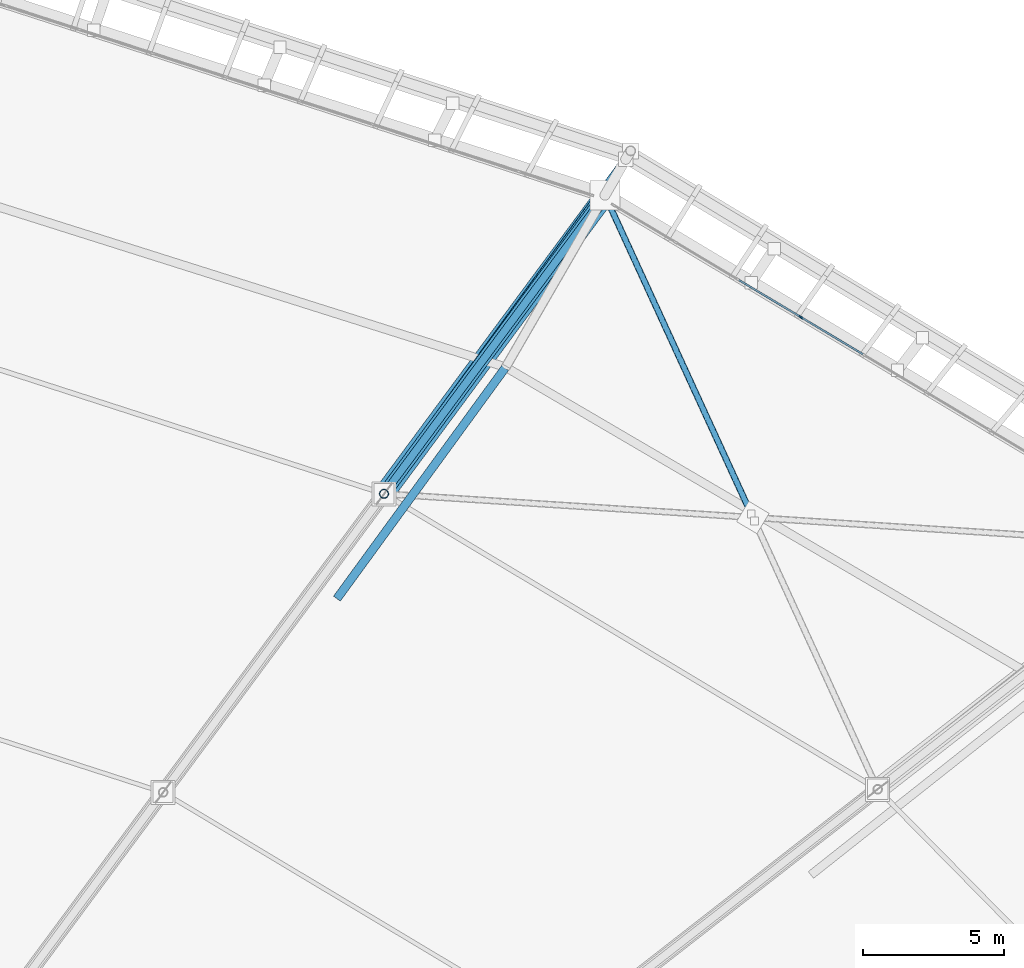
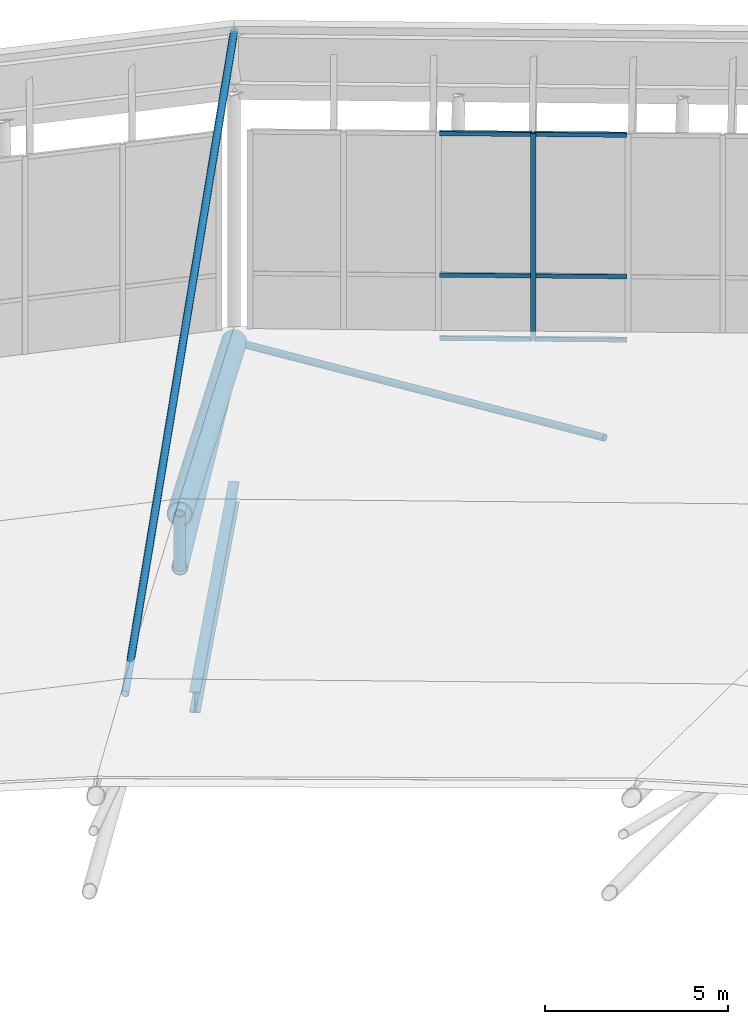
# One storey, part 75 of 115: 13 members, 1 beam, 1 element without a shape of its own.
"""IFC4 building model written with IfcOpenShell, lengths in metres."""

from ifc_helpers import new_model, si_unit, direction, frame, origin, origin_2d, place, context, subcontext, project, spatial, rectangle, hollow_circle, i_section, extrude, material, material_profile, profile_set, type_object, element, aggregate, save


model = new_model("IFC4")

# Units and contexts
model_context = context("Model", 3, precision=1e-05, world=origin(), true_north=direction((0.0, 1.0)))
body_context = subcontext(model_context, "Body", "Model", "MODEL_VIEW")
ifc_project = project(units=[si_unit("LENGTHUNIT", "METRE"), si_unit("AREAUNIT", "SQUARE_METRE"), si_unit("VOLUMEUNIT", "CUBIC_METRE"), si_unit("PLANEANGLEUNIT", "RADIAN"), si_unit("MASSUNIT", "GRAM", prefix="KILO")], contexts=[model_context])

# Site, building, storey
site_placement = place(None, origin())
site = spatial("IfcSite", under=ifc_project, at=site_placement, CompositionType="ELEMENT")
building_placement = place(site_placement, origin())
building = spatial("IfcBuilding", under=site, at=building_placement, Name="Zlatoyarsky Gate Stadium", CompositionType="ELEMENT")
storey_placement = place(building_placement, frame((0.0, 0.0, 31.800048828125)))
storey = spatial("IfcBuildingStorey", under=building, at=storey_placement, Name="RF", CompositionType="ELEMENT", Elevation=31.800048828125)

# Curtain wall, members
ifc_material_1 = material(Name="Thermally broken anodised aluminium curtain wall", Category="aluminium")
curtain_wall_type = type_object("IfcCurtainWallType", Name="UNITISED SKYBOX RING GLAZING L05", PredefinedType="USERDEFINED", material=ifc_material_1)
curtain_wall_placement = place(storey_placement, origin())
curtain_wall = element("IfcCurtainWall", 1, at=curtain_wall_placement, inside=storey, type_object=curtain_wall_type, Name="Curtain wall CW-RF-03", ObjectType="UNITISED GLAZING", PredefinedType="USERDEFINED")
ifc_material_2 = material(Name="Anodised aluminium 6063-T6", Category="aluminium")
ifc_material_profile_1 = material_profile(ifc_material_2, rectangle(XDim=0.06494140625, YDim=0.159912109375, at=origin_2d()), Name="ALU 65X160")
ifc_profile_set_1 = profile_set([ifc_material_profile_1], Name="Anodised aluminium 6063-T6")
member_type_1 = type_object("IfcMemberType", Name="ALUMINIUM MULLION 65X160", PredefinedType="MULLION", material=ifc_profile_set_1)
member_1_placement = place(storey_placement, frame((167.9541015625, 143.25830078125, 0.0), z_axis=(0.0, 0.0, 1.0), x_axis=(-0.513435995817, -0.858127891517, 0.0)))
member_1 = element("IfcMember", 2, at=member_1_placement, type_object=member_type_1, Name="CW-UG5 mullion 7", PredefinedType="MULLION", context=body_context, shape_type="SweptSolid", body=[
    extrude(rectangle(XDim=0.06494140625, YDim=0.159912109375, at=origin_2d()), origin(), (0.0, 0.0, 1.0), 6.89990234375),
])
ifc_material_profile_2 = material_profile(ifc_material_2, rectangle(XDim=0.06494140625, YDim=0.139892578125, at=origin_2d()), Name="ALU 65X140")
ifc_profile_set_2 = profile_set([ifc_material_profile_2], Name="Anodised aluminium 6063-T6")
member_type_2 = type_object("IfcMemberType", Name="ALUMINIUM TRANSOM 65X140", PredefinedType="USERDEFINED", material=ifc_profile_set_2)
member_2_placement = place(storey_placement, frame((170.1484375, 141.9453125, 0.032470703125), z_axis=(-0.858149243312, 0.51340030795, 0.0), x_axis=(-0.51340030795, -0.858149243312, 0.0)))
member_2 = element("IfcMember", 3, at=member_2_placement, type_object=member_type_2, Name="CW-UG5 transom 6.1", ObjectType="TRANSOM", PredefinedType="USERDEFINED", context=body_context, shape_type="SweptSolid", body=[
    extrude(rectangle(XDim=0.06494140625, YDim=0.139892578125, at=origin_2d()), origin(), (0.0, 0.0, 1.0), 2.524658203125),
])
member_3_placement = place(storey_placement, frame((170.1484375, 141.9453125, 2.14990234375), z_axis=(-0.858149243312, 0.51340030795, 0.0), x_axis=(-0.51340030795, -0.858149243312, 0.0)))
member_3 = element("IfcMember", 4, at=member_3_placement, type_object=member_type_2, Name="CW-UG5 transom 6.2", ObjectType="TRANSOM", PredefinedType="USERDEFINED", context=body_context, shape_type="SweptSolid", body=[
    extrude(rectangle(XDim=0.06494140625, YDim=0.139892578125, at=origin_2d()), origin(), (0.0, 0.0, 1.0), 2.524658203125),
])
member_4_placement = place(storey_placement, frame((170.1484375, 141.9453125, 6.867431640625), z_axis=(-0.858149243312, 0.51340030795, 0.0), x_axis=(-0.51340030795, -0.858149243312, 0.0)))
member_4 = element("IfcMember", 5, at=member_4_placement, type_object=member_type_2, Name="CW-UG5 transom 6.3", ObjectType="TRANSOM", PredefinedType="USERDEFINED", context=body_context, shape_type="SweptSolid", body=[
    extrude(rectangle(XDim=0.06494140625, YDim=0.139892578125, at=origin_2d()), origin(), (0.0, 0.0, 1.0), 2.524658203125),
])
member_5_placement = place(storey_placement, frame((167.926025390625, 143.27490234375, 0.032470703125), z_axis=(-0.858106637298, 0.513471517248, 0.0), x_axis=(-0.513471517248, -0.858106637298, 0.0)))
member_5 = element("IfcMember", 6, at=member_5_placement, type_object=member_type_2, Name="CW-UG5 transom 7.1", ObjectType="TRANSOM", PredefinedType="USERDEFINED", context=body_context, shape_type="SweptSolid", body=[
    extrude(rectangle(XDim=0.06494140625, YDim=0.139892578125, at=origin_2d()), origin(), (0.0, 0.0, 1.0), 2.524658203125),
])
member_6_placement = place(storey_placement, frame((167.926025390625, 143.27490234375, 2.14990234375), z_axis=(-0.858106637298, 0.513471517248, 0.0), x_axis=(-0.513471517248, -0.858106637298, 0.0)))
member_6 = element("IfcMember", 7, at=member_6_placement, type_object=member_type_2, Name="CW-UG5 transom 7.2", ObjectType="TRANSOM", PredefinedType="USERDEFINED", context=body_context, shape_type="SweptSolid", body=[
    extrude(rectangle(XDim=0.06494140625, YDim=0.139892578125, at=origin_2d()), origin(), (0.0, 0.0, 1.0), 2.524658203125),
])
member_7_placement = place(storey_placement, frame((167.926025390625, 143.27490234375, 6.867431640625), z_axis=(-0.858106637298, 0.513471517248, 0.0), x_axis=(-0.513471517248, -0.858106637298, 0.0)))
member_7 = element("IfcMember", 8, at=member_7_placement, type_object=member_type_2, Name="CW-UG5 transom 7.3", ObjectType="TRANSOM", PredefinedType="USERDEFINED", context=body_context, shape_type="SweptSolid", body=[
    extrude(rectangle(XDim=0.06494140625, YDim=0.139892578125, at=origin_2d()), origin(), (0.0, 0.0, 1.0), 2.524658203125),
])
aggregate(curtain_wall, [member_1, member_2, member_3, member_4, member_5, member_6, member_7])

# Members
ifc_material_3 = material(Name="Steel S355", Category="steel")
ifc_material_profile_3 = material_profile(ifc_material_3, hollow_circle(Radius=0.228515625, WallThickness=0.02490234375, at=origin_2d()), Name="CHS 457X25")
ifc_profile_set_3 = profile_set([ifc_material_profile_3], Name="Steel S355")
member_type_3 = type_object("IfcMemberType", Name="STEEL ARCH BOTTOM CHORD CHS 457X25", PredefinedType="CHORD", material=ifc_profile_set_3)
member_8_placement = place(storey_placement, frame((161.013916015625, 147.573974609375, -0.449951171875), z_axis=(-0.589420339324, -0.796361331741, 0.135618187937), x_axis=(0.80378738221, -0.594916669963, 0.0)))
element("IfcMember", 9, at=member_8_placement, inside=storey, type_object=member_type_3, Name="Radial truss R05 bottom chord 1", PredefinedType="CHORD", context=body_context, shape_type="SweptSolid", body=[
    extrude(hollow_circle(Radius=0.228515625, WallThickness=0.02490234375, at=origin_2d()), origin(), (0.0, 0.0, 1.0), 13.27099609375),
])
ifc_material_profile_4 = material_profile(ifc_material_3, hollow_circle(Radius=0.35546875, WallThickness=0.031982421875, at=origin_2d()), Name="CHS 711X32")
ifc_profile_set_4 = profile_set([ifc_material_profile_4], Name="Steel S355")
member_type_4 = type_object("IfcMemberType", Name="STEEL ARCH TOP CHORD CHS 711X32", PredefinedType="CHORD", material=ifc_profile_set_4)
member_9_placement = place(storey_placement, frame((161.013916015625, 147.573974609375, -0.25), z_axis=(-0.575972825416, -0.778192498109, 0.250343244904), x_axis=(0.80378738221, -0.594916669963, 0.0)))
element("IfcMember", 10, at=member_9_placement, inside=storey, type_object=member_type_4, Name="Radial truss R05 top chord 1", PredefinedType="CHORD", context=body_context, shape_type="SweptSolid", body=[
    extrude(hollow_circle(Radius=0.35546875, WallThickness=0.031982421875, at=origin_2d()), origin(), (0.0, 0.0, 1.0), 13.5810546875),
])
ifc_material_profile_5 = material_profile(ifc_material_3, hollow_circle(Radius=0.109619140625, WallThickness=0.012451171875, at=origin_2d()), Name="CHS 219.1X12.5")
ifc_profile_set_5 = profile_set([ifc_material_profile_5], Name="Steel S355")
member_type_5 = type_object("IfcMemberType", Name="STEEL CANOPY WIND BRACE CHS 219.1X12.5", PredefinedType="BRACE", material=ifc_profile_set_5)
member_10_placement = place(storey_placement, frame((161.013916015625, 147.573974609375, -0.25), z_axis=(0.412764835644, -0.899161253102, 0.145376171966), x_axis=(0.90881610236, 0.417196946407, 0.0)))
element("IfcMember", 11, at=member_10_placement, inside=storey, type_object=member_type_5, Name="Roof wind X-brace split half-diagonal 03A", PredefinedType="BRACE", context=body_context, shape_type="SweptSolid", body=[
    extrude(hollow_circle(Radius=0.109619140625, WallThickness=0.012451171875, at=origin_2d()), origin(), (0.0, 0.0, 1.0), 12.550048828125),
])
member_11_placement = place(storey_placement, frame((161.922119140625, 149.147216796875, 8.849853515625), z_axis=(-0.586600680652, -0.804819594626, -0.090360730217), x_axis=(0.80812555425, -0.589010261853, 0.0)))
element("IfcMember", 12, at=member_11_placement, inside=storey, type_object=member_type_5, Name="Crown fascia tie brace 04", PredefinedType="BRACE", context=body_context, shape_type="SweptSolid", body=[
    extrude(hollow_circle(Radius=0.109619140625, WallThickness=0.012451171875, at=origin_2d()), origin(), (0.0, 0.0, 1.0), 28.218017578125),
])

# Beam
ifc_material_profile_6 = material_profile(ifc_material_3, i_section(OverallWidth=0.300048828125, OverallDepth=0.699951171875, WebThickness=0.01708984375, FlangeThickness=0.031982421875, FilletRadius=0.027099609375, at=origin_2d()), Name="HEB 700")
ifc_profile_set_6 = profile_set([ifc_material_profile_6], Name="Steel S355")
beam_type = type_object("IfcBeamType", Name="STEEL ROOF RING GIRDER HEB 700", PredefinedType="BEAM", material=ifc_profile_set_6)
beam_placement = place(storey_placement, frame((151.523681640625, 133.29296875, -0.300048828125), z_axis=(0.589220146404, 0.807972536087, 0.0), x_axis=(-0.807972536087, 0.589220146404, 0.0)))
element("IfcBeam", 13, at=beam_placement, inside=storey, type_object=beam_type, Name="RF roof tie girder BM-RF-RBC-04", PredefinedType="BEAM", context=body_context, shape_type="SweptSolid", body=[
    extrude(i_section(OverallWidth=0.300048828125, OverallDepth=0.699951171875, WebThickness=0.01708984375, FlangeThickness=0.031982421875, FilletRadius=0.027099609375, at=origin_2d()), origin(), (0.0, 0.0, 1.0), 10.1025390625),
])

# Members
ifc_material_profile_7 = material_profile(ifc_material_3, hollow_circle(Radius=0.136474609375, WallThickness=0.01611328125, at=origin_2d()), Name="CHS 273X16")
ifc_profile_set_7 = profile_set([ifc_material_profile_7], Name="Steel S355")
member_type_6 = type_object("IfcMemberType", Name="STEEL ROOF TRUSS DIAGONAL CHS 273X16", PredefinedType="BRACE", material=ifc_profile_set_7)
member_12_placement = place(storey_placement, frame((161.013916015625, 147.573974609375, -0.449951171875), z_axis=(-0.573799851096, -0.775256609054, 0.264066129975), x_axis=(0.80378738221, -0.594916669963, 0.0)))
element("IfcMember", 14, at=member_12_placement, inside=storey, type_object=member_type_6, Name="Radial truss R05 web diagonal 1", PredefinedType="BRACE", context=body_context, shape_type="SweptSolid", body=[
    extrude(hollow_circle(Radius=0.136474609375, WallThickness=0.01611328125, at=origin_2d()), origin(), (0.0, 0.0, 1.0), 13.63232421875),
])
ifc_material_profile_8 = material_profile(ifc_material_3, hollow_circle(Radius=0.161865234375, WallThickness=0.01611328125, at=origin_2d()), Name="CHS 323.9X16")
ifc_profile_set_8 = profile_set([ifc_material_profile_8], Name="Steel S355")
member_type_7 = type_object("IfcMemberType", Name="STEEL TRUSS WEB STRUT CHS 323.9X16", PredefinedType="STRUT", material=ifc_profile_set_8)
member_13_placement = place(storey_placement, frame((153.191650390625, 137.00537109375, 1.349853515625), z_axis=(0.0, 0.0, 1.0), x_axis=(1.0, 0.0, 0.0)))
element("IfcMember", 15, at=member_13_placement, inside=storey, type_object=member_type_7, Name="Radial truss R05 web strut 1", PredefinedType="STRUT", context=body_context, shape_type="SweptSolid", body=[
    extrude(hollow_circle(Radius=0.161865234375, WallThickness=0.01611328125, at=origin_2d()), origin(), (0.0, 0.0, 1.0), 1.800048828125),
])

save(model, "model.ifc")
